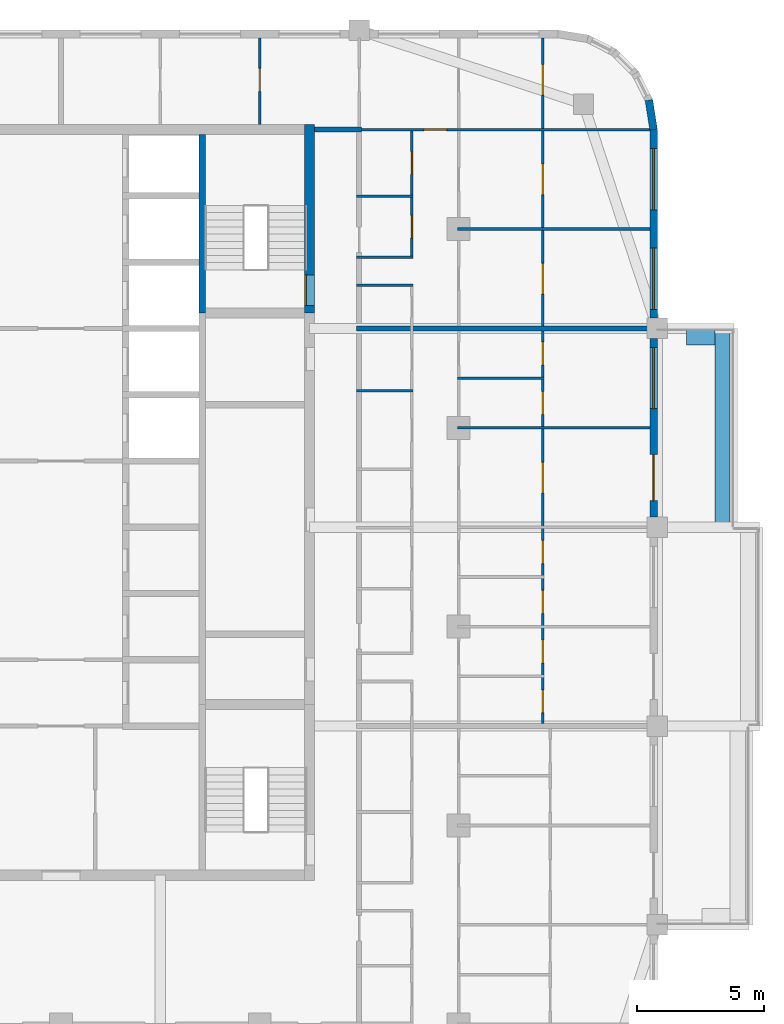
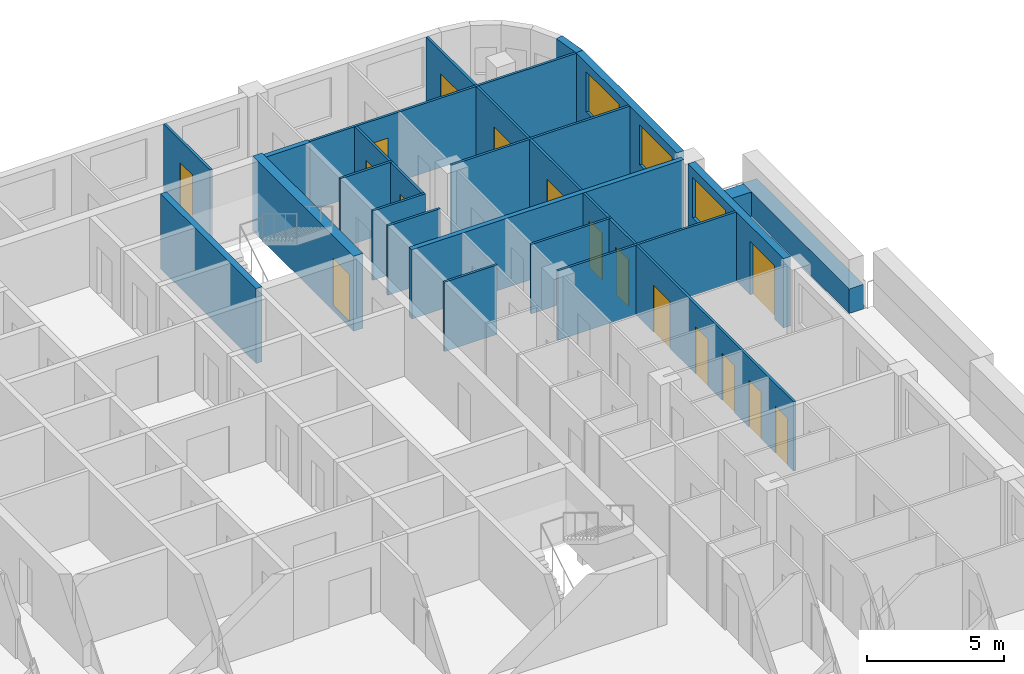
# One storey, part 11 of 16: 20 walls, 16 doors, 3 windows, 19 openings.
"""IFC4 building model written with IfcOpenShell, lengths in metres."""

import ifcopenshell
import ifcopenshell.guid

model = None  # the IFC model being written
_history = None  # IfcOwnerHistory: only IFC2X3 demands one
_inside = {}  # id of a spatial element -> (the spatial element, [elements in it])
_under = {}  # id of a project, library or spatial element -> (it, [spatial elements below it])
_declared = {}  # id of a project -> (the project, [libraries it declares])
_typed = {}  # id of a type object -> (the type object, [elements of that type])
_made_of = {}  # id of a material, layer set ... -> (it, [elements and type objects made of it])


def new_model(schema):
    """Start an empty IFC model of exactly this schema.

    Asked for "IFC4X3", IfcOpenShell would pick the latest addendum, in which some entities
    have other attributes; the version numbers below select the first issue.
    IFC2X3 requires an IfcOwnerHistory on every rooted entity: one is made here for all.
    """
    global model, _history
    if schema == "IFC4X3":
        model = ifcopenshell.file(schema_version=(4, 3, 0, 0))
    else:
        model = ifcopenshell.file(schema=schema)
    _inside.clear()
    _under.clear()
    _declared.clear()
    _typed.clear()
    _made_of.clear()
    _history = None
    if model.schema == "IFC2X3":
        org = make("IfcOrganization", Name="unknown")
        user = make(
            "IfcPersonAndOrganization",
            ThePerson=make("IfcPerson", FamilyName="unknown"),
            TheOrganization=org,
        )
        app = make(
            "IfcApplication",
            ApplicationDeveloper=org,
            Version="unknown",
            ApplicationFullName="unknown",
            ApplicationIdentifier="unknown",
        )
        _history = make(
            "IfcOwnerHistory",
            OwningUser=user,
            OwningApplication=app,
            ChangeAction="ADDED",
            CreationDate=0,
        )
    return model


def make(cls, **values):
    """One entity of the class cls with the attributes given. An attribute that is None is left unset."""
    return model.create_entity(
        cls, **{name: value for name, value in values.items() if value is not None}
    )


def rooted(cls, **values):
    """An entity with a GlobalId (a new one), such as an element, a storey or a relation."""
    return make(cls, GlobalId=ifcopenshell.guid.new(), OwnerHistory=_history, **values)


def si_unit(unit_type, name, prefix=None):
    """IfcSIUnit, for example si_unit("LENGTHUNIT", "METRE", prefix="MILLI")."""
    return make("IfcSIUnit", UnitType=unit_type, Prefix=prefix, Name=name)


def assignment(units):
    """IfcUnitAssignment: the units of a project."""
    return None if units is None else make("IfcUnitAssignment", Units=units)


def point(xyz):
    """IfcCartesianPoint."""
    return None if xyz is None else make("IfcCartesianPoint", Coordinates=xyz)


def direction(xyz):
    """IfcDirection."""
    return None if xyz is None else make("IfcDirection", DirectionRatios=xyz)


def frame(location, z_axis=None, x_axis=None):
    """IfcAxis2Placement3D, a coordinate frame: its origin and axes. An axis left out is left unset."""
    return make(
        "IfcAxis2Placement3D",
        Location=point(location),
        Axis=direction(z_axis),
        RefDirection=direction(x_axis),
    )


def frame_2d(location, x_axis=None):
    """IfcAxis2Placement2D, a coordinate frame in the plane: its origin and x axis."""
    return make(
        "IfcAxis2Placement2D", Location=point(location), RefDirection=direction(x_axis)
    )


def origin():
    """The frame at (0, 0, 0) with its axes left unset."""
    return frame((0.0, 0.0, 0.0))


def place(relative_to, where):
    """IfcLocalPlacement: puts the frame where relative to a parent placement (None: the world)."""
    return make(
        "IfcLocalPlacement", PlacementRelTo=relative_to, RelativePlacement=where
    )


def context(
    kind, dimensions, precision=None, world=None, true_north=None, identifier=None
):
    """IfcGeometricRepresentationContext, for example the 3D "Model" context."""
    return make(
        "IfcGeometricRepresentationContext",
        ContextIdentifier=identifier,
        ContextType=kind,
        CoordinateSpaceDimension=dimensions,
        Precision=precision,
        WorldCoordinateSystem=world,
        TrueNorth=true_north,
    )


def subcontext(parent, identifier, kind, view, scale=None):
    """IfcGeometricRepresentationSubContext, for example "Body" below "Model"."""
    return make(
        "IfcGeometricRepresentationSubContext",
        ContextIdentifier=identifier,
        ContextType=kind,
        ParentContext=parent,
        TargetScale=scale,
        TargetView=view,
    )


def project(units=None, contexts=None):
    """IfcProject with its units and contexts."""
    return rooted(
        "IfcProject",
        Name="project",
        RepresentationContexts=contexts,
        UnitsInContext=assignment(units),
    )


def spatial(cls, under=None, at=None, **own):
    """A site, building, storey or space (cls), placed at a placement, below another one or the project."""
    s = rooted(cls, ObjectPlacement=at, **own)
    if under is not None:
        _under.setdefault(under.id(), (under, []))[1].append(s)
    return s


def profile(cls, at=None, kind="AREA", **sizes):
    """A parametric profile (cls). Its sizes go by their IFC names, for example OverallWidth=200.0."""
    return make(cls, ProfileType=kind, Position=at, **sizes)


def rectangle(**sizes):
    """IfcRectangleProfileDef."""
    return profile("IfcRectangleProfileDef", **sizes)


def extrude(swept, where, along, depth):
    """IfcExtrudedAreaSolid: the profile swept, set in the frame where, extruded along a direction by depth."""
    return make(
        "IfcExtrudedAreaSolid",
        SweptArea=swept,
        Position=where,
        ExtrudedDirection=direction(along),
        Depth=depth,
    )


def shape(context_of_items, identifier, shape_type, items):
    """IfcShapeRepresentation: the items that make up one representation, for example the "Body"."""
    return make(
        "IfcShapeRepresentation",
        ContextOfItems=context_of_items,
        RepresentationIdentifier=identifier,
        RepresentationType=shape_type,
        Items=items,
    )


def material(Name=None, Category=None):
    """IfcMaterial."""
    return make("IfcMaterial", Name=Name, Category=Category)


def layer(
    of_material, thickness, ventilated=None, Name=None, Category=None, Priority=None
):
    """IfcMaterialLayer: one layer of a wall or slab, of a material (None: an air gap)."""
    return make(
        "IfcMaterialLayer",
        Material=of_material,
        LayerThickness=thickness,
        IsVentilated=ventilated,
        Name=Name,
        Category=Category,
        Priority=Priority,
    )


def layer_set(layers, Name=None):
    """IfcMaterialLayerSet."""
    return make("IfcMaterialLayerSet", MaterialLayers=layers, LayerSetName=Name)


def made_of(thing, what):
    """Note that an element or type object is made of a material, layer set ...; save() writes the relation."""
    if what is not None:
        _made_of.setdefault(what.id(), (what, []))[1].append(thing)
    return thing


def type_object(cls, material=None, **own):
    """A type object (cls), such as IfcWallType, which elements share."""
    return made_of(rooted(cls, **own), material)


def element(
    cls,
    number,
    at=None,
    inside=None,
    cuts=None,
    type_object=None,
    material=None,
    context=None,
    identifier="Body",
    shape_type=None,
    held_by="IfcProductDefinitionShape",
    body=None,
    shapes=None,
    **own,
):
    """One element of the class cls, such as IfcWall. Its Tag is "e" and its number.

    at: its placement. inside: the storey or other place that contains it. cuts: it is an
    opening in that element (IfcRelVoidsElement). A single representation is given by context,
    identifier, shape_type and body (its items); several are given by shapes. held_by: the class
    of the entity that holds the representations. save() writes the other relations.
    """
    e = rooted(cls, Tag="e%d" % number, ObjectPlacement=at, **own)
    if body is not None:
        shapes = [shape(context, identifier, shape_type, body)]
    if shapes is not None:
        e.Representation = make(held_by, Representations=shapes)
    if inside is not None:
        _inside.setdefault(inside.id(), (inside, []))[1].append(e)
    if cuts is not None:
        rooted(
            "IfcRelVoidsElement", RelatingBuildingElement=cuts, RelatedOpeningElement=e
        )
    if type_object is not None:
        _typed.setdefault(type_object.id(), (type_object, []))[1].append(e)
    return made_of(e, material)


def fill(opening, filler):
    """IfcRelFillsElement: the door or window that sits in an opening."""
    return rooted(
        "IfcRelFillsElement",
        RelatingOpeningElement=opening,
        RelatedBuildingElement=filler,
    )


def aggregate(whole, parts):
    """IfcRelAggregates: a whole, such as a stair, and the parts it consists of."""
    return rooted("IfcRelAggregates", RelatingObject=whole, RelatedObjects=parts)


def save(model, path):
    """Write the relations noted so far, then the file.

    IfcRelAggregates (storeys below a building ...), IfcRelContainedInSpatialStructure (elements
    in a storey), IfcRelDefinesByType, IfcRelAssociatesMaterial and IfcRelDeclares: one each for
    every whole, place, type object, material and project.
    """
    for whole, parts in _under.values():
        aggregate(whole, parts)
    for where, things in _inside.values():
        rooted(
            "IfcRelContainedInSpatialStructure",
            RelatedElements=things,
            RelatingStructure=where,
        )
    for kind, things in _typed.values():
        rooted("IfcRelDefinesByType", RelatedObjects=things, RelatingType=kind)
    for what, things in _made_of.values():
        rooted("IfcRelAssociatesMaterial", RelatedObjects=things, RelatingMaterial=what)
    for by, libraries in _declared.values():
        rooted("IfcRelDeclares", RelatingContext=by, RelatedDefinitions=libraries)
    model.write(path)


model = new_model("IFC4")

# Units and contexts
model_context = context("Model", 3, precision=1e-05, world=origin(), true_north=direction((0.0, 1.0)))
body_context = subcontext(model_context, "Body", "Model", "MODEL_VIEW")
ifc_project = project(units=[si_unit("LENGTHUNIT", "METRE"), si_unit("AREAUNIT", "SQUARE_METRE"), si_unit("VOLUMEUNIT", "CUBIC_METRE"), si_unit("PLANEANGLEUNIT", "RADIAN"), si_unit("MASSUNIT", "GRAM", prefix="KILO")], contexts=[model_context])

# Site, building, storey
site_placement = place(None, origin())
site = spatial("IfcSite", under=ifc_project, at=site_placement, CompositionType="ELEMENT")
building_placement = place(site_placement, origin())
building = spatial("IfcBuilding", under=site, at=building_placement, Name="Ludao Terraces", CompositionType="ELEMENT")
storey_placement = place(building_placement, frame((0.0, 0.0, 238.10009765625)))
storey = spatial("IfcBuildingStorey", under=building, at=storey_placement, Name="L65", CompositionType="ELEMENT", Elevation=238.10009765625)

# Wall, opening, door
ifc_material_1 = material(Name="Concrete C50", Category="concrete")
ifc_layer_1 = layer(ifc_material_1, 0.39990234375)
ifc_layer_set_1 = layer_set([ifc_layer_1], Name="Core wall 400 C50")
wall_type_1 = type_object("IfcWallType", Name="Core wall 400 C50", PredefinedType="SOLIDWALL", material=ifc_layer_set_1)
wall_1_placement = place(storey_placement, frame((94.75, 77.300048828125, -0.25), z_axis=(0.0, 0.0, 1.0), x_axis=(0.0, 1.0, 0.0)))
wall_1 = element("IfcWall", 1, at=wall_1_placement, inside=storey, type_object=wall_type_1, Name="Core wall L65 outer-E-S2", PredefinedType="SOLIDWALL", context=body_context, shape_type="SweptSolid", body=[
    extrude(rectangle(XDim=7.39990234375, YDim=0.39990234375, at=frame_2d((3.699951171875, 0.0))), origin(), (0.0, 0.0, 1.0), 3.349853515625),
])
opening_1_placement = place(wall_1_placement, frame((0.300048828125, 0.0, 0.25)))
opening_1 = element("IfcOpeningElement", 2, at=opening_1_placement, cuts=wall_1, Name="Opening R23-114", PredefinedType="OPENING", context=body_context, shape_type="SweptSolid", body=[
    extrude(rectangle(XDim=1.199951171875, YDim=2.10009765625, at=frame_2d((0.60009765625, 1.050048828125))), frame((0.0, 0.2099609375, 0.0), z_axis=(0.0, -1.0, 0.0), x_axis=(1.0, 0.0, 0.0)), (0.0, 0.0, 1.0), 0.419921875),
])
ifc_material_2 = material(Name="Steel Q235", Category="steel")
door_type_1 = type_object("IfcDoorType", Name="INT Stair door 1200", OperationType="DOUBLE_DOOR_SINGLE_SWING", PredefinedType="DOOR", material=ifc_material_2)
door_1_placement = place(opening_1_placement, origin())
door_1 = element("IfcDoor", 3, at=door_1_placement, inside=storey, type_object=door_type_1, Name="DOOR 114", OperationType="DOUBLE_DOOR_SINGLE_SWING", OverallHeight=2.10009765625, OverallWidth=1.199951171875, PredefinedType="DOOR", context=body_context, shape_type="SweptSolid", body=[
    extrude(rectangle(XDim=1.199951171875, YDim=2.10009765625, at=frame_2d((0.60009765625, 1.050048828125))), frame((0.0, 0.18505859375, 0.0), z_axis=(0.0, -1.0, 0.0), x_axis=(1.0, 0.0, 0.0)), (0.0, 0.0, 1.0), 0.050048828125),
])
fill(opening_1, door_1)

# Walls
ifc_material_3 = material(Name="Concrete C40", Category="concrete")
ifc_layer_2 = layer(ifc_material_3, 0.60009765625)
ifc_layer_set_2 = layer_set([ifc_layer_2], Name="ENV Planter trough 600")
wall_type_2 = type_object("IfcWallType", Name="ENV Planter trough 600", PredefinedType="USERDEFINED", material=ifc_layer_set_2)
wall_2_placement = place(storey_placement, frame((110.949951171875, 68.89990234375, 0.0), z_axis=(0.0, 0.0, 1.0), x_axis=(0.0, 1.0, 0.0)))
element("IfcWall", 4, at=wall_2_placement, inside=storey, type_object=wall_type_2, Name="PL-L65-E3", ObjectType="PLANTER", PredefinedType="USERDEFINED", context=body_context, shape_type="SweptSolid", body=[
    extrude(rectangle(XDim=7.800048828125, YDim=0.60009765625, at=frame_2d((3.89990234375, 0.0))), origin(), (0.0, 0.0, 1.0), 1.099853515625),
])
wall_3_placement = place(storey_placement, frame((110.64990234375, 76.35009765625, 0.0), z_axis=(0.0, 0.0, 1.0), x_axis=(-1.0, 0.0, 0.0)))
element("IfcWall", 5, at=wall_3_placement, inside=storey, type_object=wall_type_2, Name="PL-L65-E3-SB", ObjectType="PLANTER", PredefinedType="USERDEFINED", context=body_context, shape_type="SweptSolid", body=[
    extrude(rectangle(XDim=1.099853515625, YDim=0.60009765625, at=frame_2d((0.5498046875, 0.0))), origin(), (0.0, 0.0, 1.0), 1.099853515625),
])

# Wall, openings, door, window
ifc_material_4 = material(Name="Granite cladding", Category="masonry")
ifc_layer_3 = layer(ifc_material_4, 0.0400390625, Category="stone")
ifc_material_5 = material(Name="Mineral wool")
ifc_layer_4 = layer(ifc_material_5, 0.06005859375)
ifc_layer_5 = layer(ifc_material_3, 0.199951171875, Category="concrete")
ifc_layer_set_3 = layer_set([ifc_layer_3, ifc_layer_4, ifc_layer_5], Name="ENV Stone-clad wall 300")
wall_type_3 = type_object("IfcWallType", Name="ENV Stone-clad wall 300", PredefinedType="SOLIDWALL", material=ifc_layer_set_3)
wall_4_placement = place(storey_placement, frame((108.25, 69.300048828125, 0.0), z_axis=(0.0, 0.0, 1.0), x_axis=(0.0, 1.0, 0.0)))
wall_4 = element("IfcWall", 6, at=wall_4_placement, inside=storey, type_object=wall_type_3, Name="EW-L65-E4", PredefinedType="SOLIDWALL", context=body_context, shape_type="SweptSolid", body=[
    extrude(rectangle(XDim=7.0, YDim=0.300048828125, at=frame_2d((3.5, 0.0))), origin(), (0.0, 0.0, 1.0), 3.099853515625),
])
opening_2_placement = place(wall_4_placement, frame((0.64990234375, 0.0, 0.0)))
opening_2 = element("IfcOpeningElement", 7, at=opening_2_placement, cuts=wall_4, Name="Opening BD", PredefinedType="OPENING", context=body_context, shape_type="SweptSolid", body=[
    extrude(rectangle(XDim=1.800048828125, YDim=2.39990234375, at=frame_2d((0.89990234375, 1.199951171875))), frame((0.0, 0.16015625, 0.0), z_axis=(0.0, -1.0, 0.0), x_axis=(1.0, 0.0, 0.0)), (0.0, 0.0, 1.0), 0.320068359375),
])
opening_3_placement = place(wall_4_placement, frame((4.25, 0.0, 0.89990234375)))
opening_3 = element("IfcOpeningElement", 8, at=opening_3_placement, cuts=wall_4, Name="Opening W1", PredefinedType="OPENING", context=body_context, shape_type="SweptSolid", body=[
    extrude(rectangle(XDim=2.39990234375, YDim=1.800048828125, at=frame_2d((1.199951171875, 0.89990234375))), frame((0.0, 0.16015625, 0.0), z_axis=(0.0, -1.0, 0.0), x_axis=(1.0, 0.0, 0.0)), (0.0, 0.0, 1.0), 0.320068359375),
])
ifc_material_6 = material(Name="Aluminium glazed door", Category="aluminium")
ifc_layer_6 = layer(ifc_material_6, 0.06005859375)
ifc_layer_set_4 = layer_set([ifc_layer_6], Name="ENV Balcony door BD 1800x2400")
door_type_2 = type_object("IfcDoorType", Name="ENV Balcony door BD 1800x2400", OperationType="DOUBLE_DOOR_SINGLE_SWING", PredefinedType="DOOR", material=ifc_layer_set_4)
door_2_placement = place(opening_2_placement, origin())
door_2 = element("IfcDoor", 9, at=door_2_placement, inside=storey, type_object=door_type_2, Name="BD-L65-E4-1", OperationType="DOUBLE_DOOR_SINGLE_SWING", OverallHeight=2.39990234375, OverallWidth=1.800048828125, PredefinedType="DOOR", context=body_context, shape_type="SweptSolid", body=[
    extrude(rectangle(XDim=1.800048828125, YDim=2.39990234375, at=frame_2d((0.89990234375, 1.199951171875))), frame((0.0, 0.02490234375, 0.0), z_axis=(0.0, -1.0, 0.0), x_axis=(1.0, 0.0, 0.0)), (0.0, 0.0, 1.0), 0.050048828125),
])
fill(opening_2, door_2)
ifc_material_7 = material(Name="Clear glass in aluminium frame", Category="aluminium")
ifc_layer_7 = layer(ifc_material_7, 0.06005859375)
ifc_layer_set_5 = layer_set([ifc_layer_7], Name="ENV Window W1 2400x1800")
window_type = type_object("IfcWindowType", Name="ENV Window W1 2400x1800", PartitioningType="DOUBLE_PANEL_VERTICAL", PredefinedType="WINDOW", material=ifc_layer_set_5)
window_1_placement = place(opening_3_placement, origin())
window_1 = element("IfcWindow", 10, at=window_1_placement, inside=storey, type_object=window_type, Name="W-L65-E4-2", OverallHeight=1.800048828125, OverallWidth=2.39990234375, PartitioningType="DOUBLE_PANEL_VERTICAL", PredefinedType="WINDOW", context=body_context, shape_type="SweptSolid", body=[
    extrude(rectangle(XDim=2.39990234375, YDim=1.800048828125, at=frame_2d((1.199951171875, 0.89990234375))), frame((0.0, 0.030029296875, 0.0), z_axis=(0.0, -1.0, 0.0), x_axis=(1.0, 0.0, 0.0)), (0.0, 0.0, 1.0), 0.06005859375),
])
fill(opening_3, window_1)

# Wall, openings, windows
wall_5_placement = place(storey_placement, frame((108.25, 77.10009765625, 0.0), z_axis=(0.0, 0.0, 1.0), x_axis=(0.0, 1.0, 0.0)))
wall_5 = element("IfcWall", 11, at=wall_5_placement, inside=storey, type_object=wall_type_3, Name="EW-L65-E5", PredefinedType="SOLIDWALL", context=body_context, shape_type="SweptSolid", body=[
    extrude(rectangle(XDim=7.39990234375, YDim=0.300048828125, at=frame_2d((3.699951171875, 0.0))), origin(), (0.0, 0.0, 1.0), 3.099853515625),
])
opening_4_placement = place(wall_5_placement, frame((0.35009765625, 0.0, 0.89990234375)))
opening_4 = element("IfcOpeningElement", 12, at=opening_4_placement, cuts=wall_5, Name="Opening W1", PredefinedType="OPENING", context=body_context, shape_type="SweptSolid", body=[
    extrude(rectangle(XDim=2.39990234375, YDim=1.800048828125, at=frame_2d((1.199951171875, 0.89990234375))), frame((0.0, 0.16015625, 0.0), z_axis=(0.0, -1.0, 0.0), x_axis=(1.0, 0.0, 0.0)), (0.0, 0.0, 1.0), 0.320068359375),
])
opening_5_placement = place(wall_5_placement, frame((4.25, 0.0, 0.89990234375)))
opening_5 = element("IfcOpeningElement", 13, at=opening_5_placement, cuts=wall_5, Name="Opening W1", PredefinedType="OPENING", context=body_context, shape_type="SweptSolid", body=[
    extrude(rectangle(XDim=2.39990234375, YDim=1.800048828125, at=frame_2d((1.199951171875, 0.89990234375))), frame((0.0, 0.16015625, 0.0), z_axis=(0.0, -1.0, 0.0), x_axis=(1.0, 0.0, 0.0)), (0.0, 0.0, 1.0), 0.320068359375),
])
window_2_placement = place(opening_4_placement, origin())
window_2 = element("IfcWindow", 14, at=window_2_placement, inside=storey, type_object=window_type, Name="W-L65-E5-1", OverallHeight=1.800048828125, OverallWidth=2.39990234375, PartitioningType="DOUBLE_PANEL_VERTICAL", PredefinedType="WINDOW", context=body_context, shape_type="SweptSolid", body=[
    extrude(rectangle(XDim=2.39990234375, YDim=1.800048828125, at=frame_2d((1.199951171875, 0.89990234375))), frame((0.0, 0.030029296875, 0.0), z_axis=(0.0, -1.0, 0.0), x_axis=(1.0, 0.0, 0.0)), (0.0, 0.0, 1.0), 0.06005859375),
])
fill(opening_4, window_2)
window_3_placement = place(opening_5_placement, origin())
window_3 = element("IfcWindow", 15, at=window_3_placement, inside=storey, type_object=window_type, Name="W-L65-E5-2", OverallHeight=1.800048828125, OverallWidth=2.39990234375, PartitioningType="DOUBLE_PANEL_VERTICAL", PredefinedType="WINDOW", context=body_context, shape_type="SweptSolid", body=[
    extrude(rectangle(XDim=2.39990234375, YDim=1.800048828125, at=frame_2d((1.199951171875, 0.89990234375))), frame((0.0, 0.030029296875, 0.0), z_axis=(0.0, -1.0, 0.0), x_axis=(1.0, 0.0, 0.0)), (0.0, 0.0, 1.0), 0.06005859375),
])
fill(opening_5, window_3)

# Walls
wall_6_placement = place(storey_placement, frame((108.25, 84.5, 0.0), z_axis=(0.0, 0.0, 1.0), x_axis=(-0.156496880861, 0.987678452879, 0.0)))
element("IfcWall", 16, at=wall_6_placement, inside=storey, type_object=wall_type_3, Name="EW-L65-NE1", PredefinedType="SOLIDWALL", context=body_context, shape_type="SweptSolid", body=[
    extrude(rectangle(XDim=1.173095703125, YDim=0.300048828125, at=frame_2d((0.58642578125, 0.0))), origin(), (0.0, 0.0, 1.0), 3.099853515625),
])
ifc_material_8 = material(Name="Autoclaved aerated concrete block B06 A3.5", Category="concrete")
ifc_layer_8 = layer(ifc_material_8, 0.199951171875)
ifc_layer_set_6 = layer_set([ifc_layer_8], Name="INT Entrance wall 200")
wall_type_4 = type_object("IfcWallType", Name="INT Entrance wall 200", PredefinedType="PARTITIONING", material=ifc_layer_set_6)
wall_7_placement = place(storey_placement, frame((94.9501953125, 84.5, 0.0), z_axis=(0.0, 0.0, 1.0), x_axis=(1.0, 0.0, 0.0)))
element("IfcWall", 17, at=wall_7_placement, inside=storey, type_object=wall_type_4, Name="PW-L65-PW069", PredefinedType="PARTITIONING", context=body_context, shape_type="SweptSolid", body=[
    extrude(rectangle(XDim=1.849853515625, YDim=0.199951171875, at=frame_2d((0.9248046875, 0.0))), origin(), (0.0, 0.0, 1.0), 3.099853515625),
])
ifc_material_9 = material(Name="Gypsum plasterboard", Category="gypsum")
ifc_layer_9 = layer(ifc_material_9, 0.012451171875, Category="gypsum")
ifc_layer_10 = layer(ifc_material_5, 0.06005859375, Name="insulation")
ifc_layer_11 = layer(ifc_material_2, 0.014892578125, Name="stud")
ifc_layer_12 = layer(ifc_material_9, 0.012451171875, Category="gypsum")
ifc_layer_set_7 = layer_set([ifc_layer_9, ifc_layer_10, ifc_layer_11, ifc_layer_12], Name="INT Partition 100")
wall_type_5 = type_object("IfcWallType", Name="INT Partition 100", PredefinedType="PARTITIONING", material=ifc_layer_set_7)
wall_8_placement = place(storey_placement, frame((100.550048828125, 72.800048828125, 0.0), z_axis=(0.0, 0.0, 1.0), x_axis=(1.0, 0.0, 0.0)))
element("IfcWall", 18, at=wall_8_placement, inside=storey, type_object=wall_type_5, Name="PW-L65-PW052", PredefinedType="PARTITIONING", context=body_context, shape_type="SweptSolid", body=[
    extrude(rectangle(XDim=7.550048828125, YDim=0.10009765625, at=frame_2d((3.77490234375, 0.0))), origin(), (0.0, 0.0, 1.0), 3.099853515625),
])
wall_9_placement = place(storey_placement, frame((96.60009765625, 74.25, 0.0), z_axis=(0.0, 0.0, 1.0), x_axis=(1.0, 0.0, 0.0)))
element("IfcWall", 19, at=wall_9_placement, inside=storey, type_object=wall_type_5, Name="PW-L65-PW054", PredefinedType="PARTITIONING", context=body_context, shape_type="SweptSolid", body=[
    extrude(rectangle(XDim=2.219970703125, YDim=0.10009765625, at=frame_2d((1.10986328125, 0.0))), origin(), (0.0, 0.0, 1.0), 3.099853515625),
])
wall_10_placement = place(storey_placement, frame((100.550048828125, 74.75, 0.0), z_axis=(0.0, 0.0, 1.0), x_axis=(1.0, 0.0, 0.0)))
element("IfcWall", 20, at=wall_10_placement, inside=storey, type_object=wall_type_5, Name="PW-L65-PW055", PredefinedType="PARTITIONING", context=body_context, shape_type="SweptSolid", body=[
    extrude(rectangle(XDim=3.400146484375, YDim=0.10009765625, at=frame_2d((1.7001953125, 0.0))), origin(), (0.0, 0.0, 1.0), 3.099853515625),
])
for number, where, z_axis, x_axis, name in (
    (21, (96.60009765625, 78.39990234375, 0.0), (0.0, 0.0, 1.0), (1.0, 0.0, 0.0), "PW-L65-PW059"),
    (22, (96.60009765625, 79.5, 0.0), (0.0, 0.0, 1.0), (1.0, 0.0, 0.0), "PW-L65-PW061"),
):
    element("IfcWall", number, at=place(storey_placement, frame(where, z_axis=z_axis, x_axis=x_axis)), inside=storey, type_object=wall_type_5, Name=name, PredefinedType="PARTITIONING", context=body_context, shape_type="SweptSolid", body=[
        extrude(rectangle(XDim=2.219970703125, YDim=0.10009765625, at=frame_2d((1.10986328125, 0.0))), origin(), (0.0, 0.0, 1.0), 3.099853515625),
    ])
wall_11_placement = place(storey_placement, frame((100.550048828125, 80.60009765625, 0.0), z_axis=(0.0, 0.0, 1.0), x_axis=(1.0, 0.0, 0.0)))
element("IfcWall", 23, at=wall_11_placement, inside=storey, type_object=wall_type_5, Name="PW-L65-PW063", PredefinedType="PARTITIONING", context=body_context, shape_type="SweptSolid", body=[
    extrude(rectangle(XDim=7.550048828125, YDim=0.10009765625, at=frame_2d((3.77490234375, 0.0))), origin(), (0.0, 0.0, 1.0), 3.099853515625),
])
wall_12_placement = place(storey_placement, frame((96.60009765625, 81.8798828125, 0.0), z_axis=(0.0, 0.0, 1.0), x_axis=(1.0, 0.0, 0.0)))
element("IfcWall", 24, at=wall_12_placement, inside=storey, type_object=wall_type_5, Name="PW-L65-PW065", PredefinedType="PARTITIONING", context=body_context, shape_type="SweptSolid", body=[
    extrude(rectangle(XDim=2.219970703125, YDim=0.10009765625, at=frame_2d((1.10986328125, 0.0))), origin(), (0.0, 0.0, 1.0), 3.099853515625),
])

# Wall, opening, door
wall_13_placement = place(storey_placement, frame((96.60009765625, 84.5, 0.0), z_axis=(0.0, 0.0, 1.0), x_axis=(1.0, 0.0, 0.0)))
wall_13 = element("IfcWall", 25, at=wall_13_placement, inside=storey, type_object=wall_type_5, Name="PW-L65-PW070", PredefinedType="PARTITIONING", context=body_context, shape_type="SweptSolid", body=[
    extrude(rectangle(XDim=11.5, YDim=0.10009765625, at=frame_2d((5.75, 0.0))), origin(), (0.0, 0.0, 1.0), 3.099853515625),
])
opening_6_placement = place(wall_13_placement, frame((2.635009765625, 0.0, 0.0)))
opening_6 = element("IfcOpeningElement", 26, at=opening_6_placement, cuts=wall_13, Name="Opening R23-134", PredefinedType="OPENING", context=body_context, shape_type="SweptSolid", body=[
    extrude(rectangle(XDim=0.89990234375, YDim=2.10009765625, at=frame_2d((0.449951171875, 1.050048828125))), frame((0.0, 0.06005859375, 0.0), z_axis=(0.0, -1.0, 0.0), x_axis=(1.0, 0.0, 0.0)), (0.0, 0.0, 1.0), 0.1201171875),
])
ifc_material_10 = material(Name="Timber door leaf", Category="wood")
door_type_3 = type_object("IfcDoorType", Name="INT Room door 900", OperationType="SINGLE_SWING_LEFT", PredefinedType="DOOR", material=ifc_material_10)
door_3_placement = place(opening_6_placement, origin())
door_3 = element("IfcDoor", 27, at=door_3_placement, inside=storey, type_object=door_type_3, Name="DOOR 134", OperationType="SINGLE_SWING_RIGHT", OverallHeight=2.10009765625, OverallWidth=0.89990234375, PredefinedType="DOOR", context=body_context, shape_type="SweptSolid", body=[
    extrude(rectangle(XDim=0.89990234375, YDim=2.10009765625, at=frame_2d((0.449951171875, 1.050048828125))), frame((0.0, 0.02490234375, 0.0), z_axis=(0.0, -1.0, 0.0), x_axis=(1.0, 0.0, 0.0)), (0.0, 0.0, 1.0), 0.050048828125),
])
fill(opening_6, door_3)

wall_14_placement = place(storey_placement, frame((92.800048828125, 84.7001953125, 0.0), z_axis=(0.0, 0.0, 1.0), x_axis=(0.0, 1.0, 0.0)))
wall_14 = element("IfcWall", 28, at=wall_14_placement, inside=storey, type_object=wall_type_5, Name="PW-L65-PW091", PredefinedType="PARTITIONING", context=body_context, shape_type="SweptSolid", body=[
    extrude(rectangle(XDim=3.39990234375, YDim=0.10009765625, at=frame_2d((1.699951171875, 0.0))), origin(), (0.0, 0.0, 1.0), 3.099853515625),
])
opening_7_placement = place(wall_14_placement, frame((1.2998046875, 0.0, 0.0)))
opening_7 = element("IfcOpeningElement", 29, at=opening_7_placement, cuts=wall_14, Name="Opening R23-141", PredefinedType="OPENING", context=body_context, shape_type="SweptSolid", body=[
    extrude(rectangle(XDim=0.89990234375, YDim=2.10009765625, at=frame_2d((0.449951171875, 1.050048828125))), frame((0.0, 0.06005859375, 0.0), z_axis=(0.0, -1.0, 0.0), x_axis=(1.0, 0.0, 0.0)), (0.0, 0.0, 1.0), 0.1201171875),
])
door_4_placement = place(opening_7_placement, origin())
door_4 = element("IfcDoor", 30, at=door_4_placement, inside=storey, type_object=door_type_3, Name="DOOR 141", OperationType="SINGLE_SWING_RIGHT", OverallHeight=2.10009765625, OverallWidth=0.89990234375, PredefinedType="DOOR", context=body_context, shape_type="SweptSolid", body=[
    extrude(rectangle(XDim=0.89990234375, YDim=2.10009765625, at=frame_2d((0.449951171875, 1.050048828125))), frame((0.0, 0.02490234375, 0.0), z_axis=(0.0, -1.0, 0.0), x_axis=(1.0, 0.0, 0.0)), (0.0, 0.0, 1.0), 0.050048828125),
])
fill(opening_7, door_4)

# Wall, openings, doors
wall_15_placement = place(storey_placement, frame((98.77001953125, 79.550048828125, 0.0), z_axis=(0.0, 0.0, 1.0), x_axis=(0.0, 1.0, 0.0)))
wall_15 = element("IfcWall", 31, at=wall_15_placement, inside=storey, type_object=wall_type_5, Name="PW-L65-PW098", PredefinedType="PARTITIONING", context=body_context, shape_type="SweptSolid", body=[
    extrude(rectangle(XDim=4.900146484375, YDim=0.10009765625, at=frame_2d((2.4501953125, 0.0))), origin(), (0.0, 0.0, 1.0), 3.099853515625),
])
opening_8_placement = place(wall_15_placement, frame((0.68994140625, 0.0, 0.0)))
opening_8 = element("IfcOpeningElement", 32, at=opening_8_placement, cuts=wall_15, Name="Opening R23-123", PredefinedType="OPENING", context=body_context, shape_type="SweptSolid", body=[
    extrude(rectangle(XDim=0.89990234375, YDim=2.10009765625, at=frame_2d((0.449951171875, 1.050048828125))), frame((0.0, 0.06005859375, 0.0), z_axis=(0.0, -1.0, 0.0), x_axis=(1.0, 0.0, 0.0)), (0.0, 0.0, 1.0), 0.1201171875),
])
opening_9_placement = place(wall_15_placement, frame((3.18994140625, 0.0, 0.0)))
opening_9 = element("IfcOpeningElement", 33, at=opening_9_placement, cuts=wall_15, Name="Opening R23-128", PredefinedType="OPENING", context=body_context, shape_type="SweptSolid", body=[
    extrude(rectangle(XDim=0.89990234375, YDim=2.10009765625, at=frame_2d((0.449951171875, 1.050048828125))), frame((0.0, 0.06005859375, 0.0), z_axis=(0.0, -1.0, 0.0), x_axis=(1.0, 0.0, 0.0)), (0.0, 0.0, 1.0), 0.1201171875),
])
door_type_4 = type_object("IfcDoorType", Name="INT Bathroom door 900", OperationType="SINGLE_SWING_LEFT", PredefinedType="DOOR", material=ifc_material_10)
door_5_placement = place(opening_8_placement, origin())
door_5 = element("IfcDoor", 34, at=door_5_placement, inside=storey, type_object=door_type_4, Name="DOOR 123", OperationType="SINGLE_SWING_RIGHT", OverallHeight=2.10009765625, OverallWidth=0.89990234375, PredefinedType="DOOR", context=body_context, shape_type="SweptSolid", body=[
    extrude(rectangle(XDim=0.89990234375, YDim=2.10009765625, at=frame_2d((0.449951171875, 1.050048828125))), frame((0.0, 0.02490234375, 0.0), z_axis=(0.0, -1.0, 0.0), x_axis=(1.0, 0.0, 0.0)), (0.0, 0.0, 1.0), 0.050048828125),
])
fill(opening_8, door_5)
door_6_placement = place(opening_9_placement, origin())
door_6 = element("IfcDoor", 35, at=door_6_placement, inside=storey, type_object=door_type_3, Name="DOOR 128", OperationType="SINGLE_SWING_LEFT", OverallHeight=2.10009765625, OverallWidth=0.89990234375, PredefinedType="DOOR", context=body_context, shape_type="SweptSolid", body=[
    extrude(rectangle(XDim=0.89990234375, YDim=2.10009765625, at=frame_2d((0.449951171875, 1.050048828125))), frame((0.0, 0.02490234375, 0.0), z_axis=(0.0, -1.0, 0.0), x_axis=(1.0, 0.0, 0.0)), (0.0, 0.0, 1.0), 0.050048828125),
])
fill(opening_9, door_6)

wall_16_placement = place(storey_placement, frame((103.89990234375, 61.2001953125, 0.0), z_axis=(0.0, 0.0, 1.0), x_axis=(0.0, 1.0, 0.0)))
wall_16 = element("IfcWall", 36, at=wall_16_placement, inside=storey, type_object=wall_type_5, Name="PW-L65-PW100", PredefinedType="PARTITIONING", context=body_context, shape_type="SweptSolid", body=[
    extrude(rectangle(XDim=26.89990234375, YDim=0.10009765625, at=frame_2d((13.449951171875, 0.0))), origin(), (0.0, 0.0, 1.0), 3.099853515625),
])
opening_10_placement = place(wall_16_placement, frame((0.4248046875, 0.0, 0.0)))
opening_10 = element("IfcOpeningElement", 37, at=opening_10_placement, cuts=wall_16, Name="Opening R23-055", PredefinedType="OPENING", context=body_context, shape_type="SweptSolid", body=[
    extrude(rectangle(XDim=0.89990234375, YDim=2.10009765625, at=frame_2d((0.449951171875, 1.050048828125))), frame((0.0, 0.06005859375, 0.0), z_axis=(0.0, -1.0, 0.0), x_axis=(1.0, 0.0, 0.0)), (0.0, 0.0, 1.0), 0.1201171875),
])
opening_11_placement = place(wall_16_placement, frame((2.375, 0.0, 0.0)))
opening_11 = element("IfcOpeningElement", 38, at=opening_11_placement, cuts=wall_16, Name="Opening R23-064", PredefinedType="OPENING", context=body_context, shape_type="SweptSolid", body=[
    extrude(rectangle(XDim=0.89990234375, YDim=2.10009765625, at=frame_2d((0.449951171875, 1.050048828125))), frame((0.0, 0.06005859375, 0.0), z_axis=(0.0, -1.0, 0.0), x_axis=(1.0, 0.0, 0.0)), (0.0, 0.0, 1.0), 0.1201171875),
])
opening_12_placement = place(wall_16_placement, frame((4.324951171875, 0.0, 0.0)))
opening_12 = element("IfcOpeningElement", 39, at=opening_12_placement, cuts=wall_16, Name="Opening R23-072", PredefinedType="OPENING", context=body_context, shape_type="SweptSolid", body=[
    extrude(rectangle(XDim=0.89990234375, YDim=2.10009765625, at=frame_2d((0.449951171875, 1.050048828125))), frame((0.0, 0.06005859375, 0.0), z_axis=(0.0, -1.0, 0.0), x_axis=(1.0, 0.0, 0.0)), (0.0, 0.0, 1.0), 0.1201171875),
])
opening_13_placement = place(wall_16_placement, frame((6.27490234375, 0.0, 0.0)))
opening_13 = element("IfcOpeningElement", 40, at=opening_13_placement, cuts=wall_16, Name="Opening R23-081", PredefinedType="OPENING", context=body_context, shape_type="SweptSolid", body=[
    extrude(rectangle(XDim=0.89990234375, YDim=2.10009765625, at=frame_2d((0.449951171875, 1.050048828125))), frame((0.0, 0.06005859375, 0.0), z_axis=(0.0, -1.0, 0.0), x_axis=(1.0, 0.0, 0.0)), (0.0, 0.0, 1.0), 0.1201171875),
])
opening_14_placement = place(wall_16_placement, frame((9.0498046875, 0.0, 0.0)))
opening_14 = element("IfcOpeningElement", 41, at=opening_14_placement, cuts=wall_16, Name="Opening R23-090", PredefinedType="OPENING", context=body_context, shape_type="SweptSolid", body=[
    extrude(rectangle(XDim=1.199951171875, YDim=2.10009765625, at=frame_2d((0.60009765625, 1.050048828125))), frame((0.0, 0.06005859375, 0.0), z_axis=(0.0, -1.0, 0.0), x_axis=(1.0, 0.0, 0.0)), (0.0, 0.0, 1.0), 0.1201171875),
])
opening_15_placement = place(wall_16_placement, frame((12.125, 0.0, 0.0)))
opening_15 = element("IfcOpeningElement", 42, at=opening_15_placement, cuts=wall_16, Name="Opening R23-097", PredefinedType="OPENING", context=body_context, shape_type="SweptSolid", body=[
    extrude(rectangle(XDim=0.89990234375, YDim=2.10009765625, at=frame_2d((0.449951171875, 1.050048828125))), frame((0.0, 0.06005859375, 0.0), z_axis=(0.0, -1.0, 0.0), x_axis=(1.0, 0.0, 0.0)), (0.0, 0.0, 1.0), 0.1201171875),
])
opening_16_placement = place(wall_16_placement, frame((14.074951171875, 0.0, 0.0)))
opening_16 = element("IfcOpeningElement", 43, at=opening_16_placement, cuts=wall_16, Name="Opening R23-107", PredefinedType="OPENING", context=body_context, shape_type="SweptSolid", body=[
    extrude(rectangle(XDim=0.89990234375, YDim=2.10009765625, at=frame_2d((0.449951171875, 1.050048828125))), frame((0.0, 0.06005859375, 0.0), z_axis=(0.0, -1.0, 0.0), x_axis=(1.0, 0.0, 0.0)), (0.0, 0.0, 1.0), 0.1201171875),
])
opening_17_placement = place(wall_16_placement, frame((16.849853515625, 0.0, 0.0)))
opening_17 = element("IfcOpeningElement", 44, at=opening_17_placement, cuts=wall_16, Name="Opening R23-118", PredefinedType="OPENING", context=body_context, shape_type="SweptSolid", body=[
    extrude(rectangle(XDim=1.199951171875, YDim=2.10009765625, at=frame_2d((0.60009765625, 1.050048828125))), frame((0.0, 0.06005859375, 0.0), z_axis=(0.0, -1.0, 0.0), x_axis=(1.0, 0.0, 0.0)), (0.0, 0.0, 1.0), 0.1201171875),
])
opening_18_placement = place(wall_16_placement, frame((20.75, 0.0, 0.0)))
opening_18 = element("IfcOpeningElement", 45, at=opening_18_placement, cuts=wall_16, Name="Opening R23-127", PredefinedType="OPENING", context=body_context, shape_type="SweptSolid", body=[
    extrude(rectangle(XDim=1.199951171875, YDim=2.10009765625, at=frame_2d((0.60009765625, 1.050048828125))), frame((0.0, 0.06005859375, 0.0), z_axis=(0.0, -1.0, 0.0), x_axis=(1.0, 0.0, 0.0)), (0.0, 0.0, 1.0), 0.1201171875),
])
opening_19_placement = place(wall_16_placement, frame((24.64990234375, 0.0, 0.0)))
opening_19 = element("IfcOpeningElement", 46, at=opening_19_placement, cuts=wall_16, Name="Opening R23-144", PredefinedType="OPENING", context=body_context, shape_type="SweptSolid", body=[
    extrude(rectangle(XDim=1.199951171875, YDim=2.10009765625, at=frame_2d((0.60009765625, 1.050048828125))), frame((0.0, 0.06005859375, 0.0), z_axis=(0.0, -1.0, 0.0), x_axis=(1.0, 0.0, 0.0)), (0.0, 0.0, 1.0), 0.1201171875),
])
door_7_placement = place(opening_10_placement, origin())
door_7 = element("IfcDoor", 47, at=door_7_placement, inside=storey, type_object=door_type_4, Name="DOOR 055", OperationType="SINGLE_SWING_LEFT", OverallHeight=2.10009765625, OverallWidth=0.89990234375, PredefinedType="DOOR", context=body_context, shape_type="SweptSolid", body=[
    extrude(rectangle(XDim=0.89990234375, YDim=2.10009765625, at=frame_2d((0.449951171875, 1.050048828125))), frame((0.0, 0.02490234375, 0.0), z_axis=(0.0, -1.0, 0.0), x_axis=(1.0, 0.0, 0.0)), (0.0, 0.0, 1.0), 0.050048828125),
])
fill(opening_10, door_7)
door_8_placement = place(opening_12_placement, origin())
door_8 = element("IfcDoor", 48, at=door_8_placement, inside=storey, type_object=door_type_4, Name="DOOR 072", OperationType="SINGLE_SWING_RIGHT", OverallHeight=2.10009765625, OverallWidth=0.89990234375, PredefinedType="DOOR", context=body_context, shape_type="SweptSolid", body=[
    extrude(rectangle(XDim=0.89990234375, YDim=2.10009765625, at=frame_2d((0.449951171875, 1.050048828125))), frame((0.0, 0.02490234375, 0.0), z_axis=(0.0, -1.0, 0.0), x_axis=(1.0, 0.0, 0.0)), (0.0, 0.0, 1.0), 0.050048828125),
])
fill(opening_12, door_8)
door_9_placement = place(opening_15_placement, origin())
door_9 = element("IfcDoor", 49, at=door_9_placement, inside=storey, type_object=door_type_4, Name="DOOR 097", OperationType="SINGLE_SWING_LEFT", OverallHeight=2.10009765625, OverallWidth=0.89990234375, PredefinedType="DOOR", context=body_context, shape_type="SweptSolid", body=[
    extrude(rectangle(XDim=0.89990234375, YDim=2.10009765625, at=frame_2d((0.449951171875, 1.050048828125))), frame((0.0, 0.02490234375, 0.0), z_axis=(0.0, -1.0, 0.0), x_axis=(1.0, 0.0, 0.0)), (0.0, 0.0, 1.0), 0.050048828125),
])
fill(opening_15, door_9)
door_type_5 = type_object("IfcDoorType", Name="INT Double door 1200", OperationType="DOUBLE_DOOR_SINGLE_SWING", PredefinedType="DOOR", material=ifc_material_10)
door_10_placement = place(opening_14_placement, origin())
door_10 = element("IfcDoor", 50, at=door_10_placement, inside=storey, type_object=door_type_5, Name="DOOR 090", OperationType="DOUBLE_DOOR_SINGLE_SWING", OverallHeight=2.10009765625, OverallWidth=1.199951171875, PredefinedType="DOOR", context=body_context, shape_type="SweptSolid", body=[
    extrude(rectangle(XDim=1.199951171875, YDim=2.10009765625, at=frame_2d((0.60009765625, 1.050048828125))), frame((0.0, 0.02490234375, 0.0), z_axis=(0.0, -1.0, 0.0), x_axis=(1.0, 0.0, 0.0)), (0.0, 0.0, 1.0), 0.050048828125),
])
fill(opening_14, door_10)
door_11_placement = place(opening_17_placement, origin())
door_11 = element("IfcDoor", 51, at=door_11_placement, inside=storey, type_object=door_type_5, Name="DOOR 118", OperationType="DOUBLE_DOOR_SINGLE_SWING", OverallHeight=2.10009765625, OverallWidth=1.199951171875, PredefinedType="DOOR", context=body_context, shape_type="SweptSolid", body=[
    extrude(rectangle(XDim=1.199951171875, YDim=2.10009765625, at=frame_2d((0.60009765625, 1.050048828125))), frame((0.0, 0.02490234375, 0.0), z_axis=(0.0, -1.0, 0.0), x_axis=(1.0, 0.0, 0.0)), (0.0, 0.0, 1.0), 0.050048828125),
])
fill(opening_17, door_11)
door_12_placement = place(opening_18_placement, origin())
door_12 = element("IfcDoor", 52, at=door_12_placement, inside=storey, type_object=door_type_5, Name="DOOR 127", OperationType="DOUBLE_DOOR_SINGLE_SWING", OverallHeight=2.10009765625, OverallWidth=1.199951171875, PredefinedType="DOOR", context=body_context, shape_type="SweptSolid", body=[
    extrude(rectangle(XDim=1.199951171875, YDim=2.10009765625, at=frame_2d((0.60009765625, 1.050048828125))), frame((0.0, 0.02490234375, 0.0), z_axis=(0.0, -1.0, 0.0), x_axis=(1.0, 0.0, 0.0)), (0.0, 0.0, 1.0), 0.050048828125),
])
fill(opening_18, door_12)
door_13_placement = place(opening_19_placement, origin())
door_13 = element("IfcDoor", 53, at=door_13_placement, inside=storey, type_object=door_type_5, Name="DOOR 144", OperationType="DOUBLE_DOOR_SINGLE_SWING", OverallHeight=2.10009765625, OverallWidth=1.199951171875, PredefinedType="DOOR", context=body_context, shape_type="SweptSolid", body=[
    extrude(rectangle(XDim=1.199951171875, YDim=2.10009765625, at=frame_2d((0.60009765625, 1.050048828125))), frame((0.0, 0.02490234375, 0.0), z_axis=(0.0, -1.0, 0.0), x_axis=(1.0, 0.0, 0.0)), (0.0, 0.0, 1.0), 0.050048828125),
])
fill(opening_19, door_13)
door_14_placement = place(opening_11_placement, origin())
door_14 = element("IfcDoor", 54, at=door_14_placement, inside=storey, type_object=door_type_3, Name="DOOR 064", OperationType="SINGLE_SWING_LEFT", OverallHeight=2.10009765625, OverallWidth=0.89990234375, PredefinedType="DOOR", context=body_context, shape_type="SweptSolid", body=[
    extrude(rectangle(XDim=0.89990234375, YDim=2.10009765625, at=frame_2d((0.449951171875, 1.050048828125))), frame((0.0, 0.02490234375, 0.0), z_axis=(0.0, -1.0, 0.0), x_axis=(1.0, 0.0, 0.0)), (0.0, 0.0, 1.0), 0.050048828125),
])
fill(opening_11, door_14)
door_15_placement = place(opening_13_placement, origin())
door_15 = element("IfcDoor", 55, at=door_15_placement, inside=storey, type_object=door_type_3, Name="DOOR 081", OperationType="SINGLE_SWING_LEFT", OverallHeight=2.10009765625, OverallWidth=0.89990234375, PredefinedType="DOOR", context=body_context, shape_type="SweptSolid", body=[
    extrude(rectangle(XDim=0.89990234375, YDim=2.10009765625, at=frame_2d((0.449951171875, 1.050048828125))), frame((0.0, 0.02490234375, 0.0), z_axis=(0.0, -1.0, 0.0), x_axis=(1.0, 0.0, 0.0)), (0.0, 0.0, 1.0), 0.050048828125),
])
fill(opening_13, door_15)
door_16_placement = place(opening_16_placement, origin())
door_16 = element("IfcDoor", 56, at=door_16_placement, inside=storey, type_object=door_type_3, Name="DOOR 107", OperationType="SINGLE_SWING_RIGHT", OverallHeight=2.10009765625, OverallWidth=0.89990234375, PredefinedType="DOOR", context=body_context, shape_type="SweptSolid", body=[
    extrude(rectangle(XDim=0.89990234375, YDim=2.10009765625, at=frame_2d((0.449951171875, 1.050048828125))), frame((0.0, 0.02490234375, 0.0), z_axis=(0.0, -1.0, 0.0), x_axis=(1.0, 0.0, 0.0)), (0.0, 0.0, 1.0), 0.050048828125),
])
fill(opening_16, door_16)

# Walls
ifc_layer_13 = layer(ifc_material_8, 0.199951171875)
ifc_layer_set_8 = layer_set([ifc_layer_13], Name="INT Party wall 200")
wall_type_6 = type_object("IfcWallType", Name="INT Party wall 200", PredefinedType="PARTITIONING", material=ifc_layer_set_8)
wall_17_placement = place(storey_placement, frame((96.60009765625, 76.699951171875, 0.0), z_axis=(0.0, 0.0, 1.0), x_axis=(1.0, 0.0, 0.0)))
element("IfcWall", 57, at=wall_17_placement, inside=storey, type_object=wall_type_6, Name="PW-L65-PW058", PredefinedType="PARTITIONING", context=body_context, shape_type="SweptSolid", body=[
    extrude(rectangle(XDim=11.5, YDim=0.199951171875, at=frame_2d((5.75, 0.0))), origin(), (0.0, 0.0, 1.0), 3.099853515625),
])
ifc_layer_14 = layer(ifc_material_1, 0.25)
ifc_layer_set_9 = layer_set([ifc_layer_14], Name="Shaft wall 250 C50")
wall_type_7 = type_object("IfcWallType", Name="Shaft wall 250 C50", PredefinedType="SOLIDWALL", material=ifc_layer_set_9)
wall_18_placement = place(storey_placement, frame((90.550048828125, 77.300048828125, -0.25), z_axis=(0.0, 0.0, 1.0), x_axis=(0.0, 1.0, 0.0)))
element("IfcWall", 58, at=wall_18_placement, inside=storey, type_object=wall_type_7, Name="Core wall L65 back-E-S2", PredefinedType="SOLIDWALL", context=body_context, shape_type="SweptSolid", body=[
    extrude(rectangle(XDim=7.0, YDim=0.25, at=frame_2d((3.5, 0.0))), origin(), (0.0, 0.0, 1.0), 3.349853515625),
])

save(model, "model.ifc")
